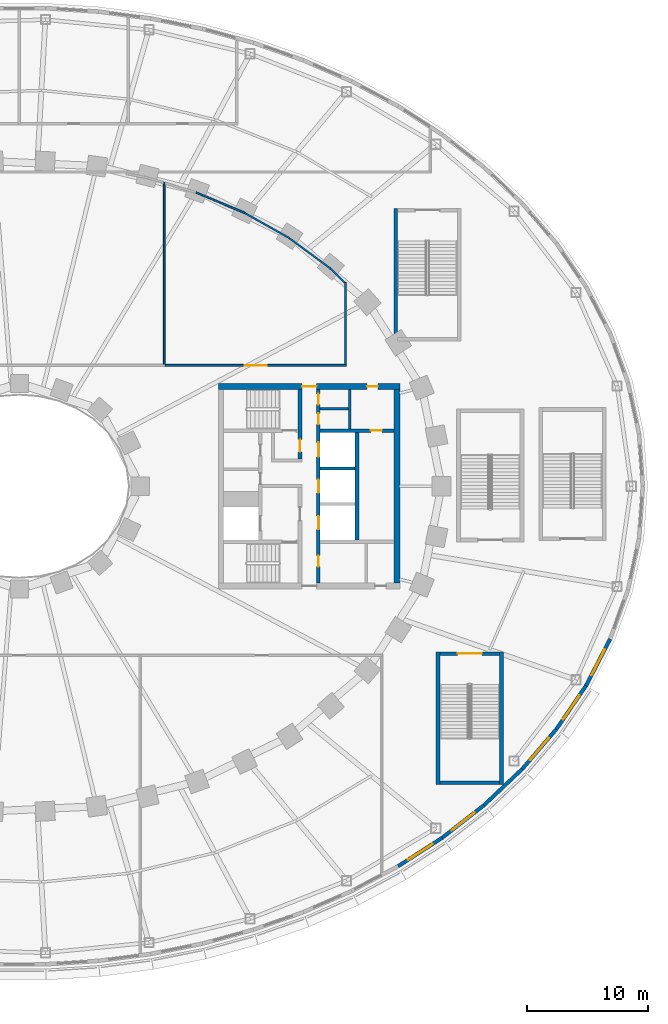
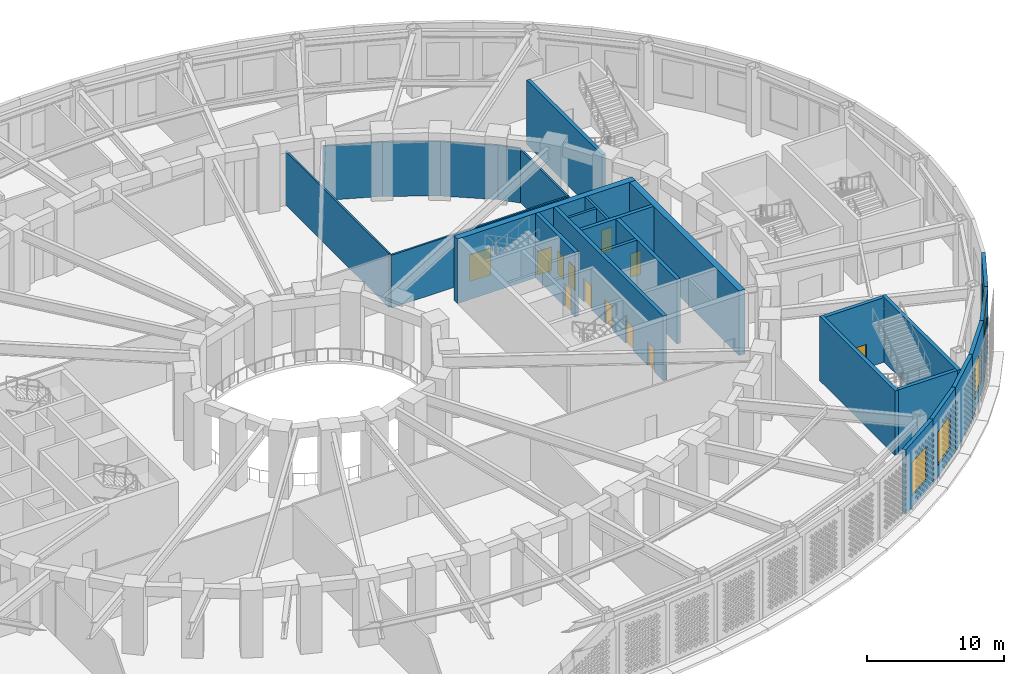
# One storey, part 24 of 74: 27 walls, 12 doors, 5 windows, 17 openings.
"""IFC4 building model written with IfcOpenShell, lengths in metres."""

from ifc_helpers import new_model, si_unit, direction, frame, frame_2d, origin, place, context, subcontext, project, spatial, rectangle, extrude, material, layer, layer_set, type_object, element, fill, save


model = new_model("IFC4")

# Units and contexts
model_context = context("Model", 3, precision=1e-05, world=origin(), true_north=direction((0.0, 1.0)))
body_context = subcontext(model_context, "Body", "Model", "MODEL_VIEW")
ifc_project = project(units=[si_unit("LENGTHUNIT", "METRE"), si_unit("AREAUNIT", "SQUARE_METRE"), si_unit("VOLUMEUNIT", "CUBIC_METRE"), si_unit("PLANEANGLEUNIT", "RADIAN"), si_unit("MASSUNIT", "GRAM", prefix="KILO")], contexts=[model_context])

# Site, building, storey
site_placement = place(None, origin())
site = spatial("IfcSite", under=ifc_project, at=site_placement, CompositionType="ELEMENT")
building_placement = place(site_placement, origin())
building = spatial("IfcBuilding", under=site, at=building_placement, Name="Noorbagh Ring Tower", CompositionType="ELEMENT")
storey_placement = place(building_placement, frame((0.0, 0.0, 13.5)))
storey = spatial("IfcBuildingStorey", under=building, at=storey_placement, Name="L02", CompositionType="ELEMENT", Elevation=13.5)

# Walls
ifc_material_1 = material(Name="Gypsum board on steel studs", Category="steel")
ifc_layer_1 = layer(ifc_material_1, 0.199951171875)
ifc_layer_set_1 = layer_set([ifc_layer_1], Name="Gypsum board on steel studs")
wall_type_1 = type_object("IfcWallType", Name="CORE-PARTITION-200", PredefinedType="PARTITIONING", material=ifc_layer_set_1)
wall_1_placement = place(storey_placement, frame((27.35009765625, 4.75, 0.0), z_axis=(0.0, 0.0, 1.0), x_axis=(0.0, 1.0, 0.0)))
element("IfcWall", 1, at=wall_1_placement, inside=storey, type_object=wall_type_1, Name="Core partition E", PredefinedType="PARTITIONING", context=body_context, shape_type="SweptSolid", body=[
    extrude(rectangle(XDim=3.25, YDim=0.199951171875, at=frame_2d((1.625, 0.0))), origin(), (0.0, 0.0, 1.0), 5.75),
])
wall_2_placement = place(storey_placement, frame((24.89990234375, 6.39990234375, 0.0), z_axis=(0.0, 0.0, 1.0), x_axis=(1.0, 0.0, 0.0)))
element("IfcWall", 2, at=wall_2_placement, inside=storey, type_object=wall_type_1, Name="Core partition E", PredefinedType="PARTITIONING", context=body_context, shape_type="SweptSolid", body=[
    extrude(rectangle(XDim=2.35009765625, YDim=0.199951171875, at=frame_2d((1.175048828125, 0.0))), origin(), (0.0, 0.0, 1.0), 5.75),
])
ifc_material_2 = material(Name="Concrete C70/85", Category="concrete")
ifc_layer_2 = layer(ifc_material_2, 0.25)
ifc_layer_set_2 = layer_set([ifc_layer_2], Name="Concrete C70/85")
wall_type_2 = type_object("IfcWallType", Name="CORE-WALL-250-C70-85-EI120", PredefinedType="SHEAR", material=ifc_layer_set_2)
wall_3_placement = place(storey_placement, frame((24.89990234375, 1.47509765625, 0.0), z_axis=(0.0, 0.0, 1.0), x_axis=(1.0, 0.0, 0.0)))
element("IfcWall", 3, at=wall_3_placement, inside=storey, type_object=wall_type_2, Name="Core wall E", PredefinedType="SHEAR", context=body_context, shape_type="SweptSolid", body=[
    extrude(rectangle(XDim=2.900146484375, YDim=0.25, at=frame_2d((1.4501953125, 0.0))), origin(), (0.0, 0.0, 1.0), 5.75),
])
ifc_material_3 = material(Name="Concrete C70/85", Category="concrete")
ifc_layer_3 = layer(ifc_material_3, 0.300048828125)
ifc_layer_set_3 = layer_set([ifc_layer_3], Name="Concrete C70/85")
wall_type_3 = type_object("IfcWallType", Name="CORE-WALL-300-C70-85-EI120", PredefinedType="SHEAR", material=ifc_layer_set_3)
wall_4_placement = place(storey_placement, frame((27.949951171875, -4.449951171875, 0.0), z_axis=(0.0, 0.0, 1.0), x_axis=(0.0, 1.0, 0.0)))
element("IfcWall", 4, at=wall_4_placement, inside=storey, type_object=wall_type_3, Name="Core wall E", PredefinedType="SHEAR", context=body_context, shape_type="SweptSolid", body=[
    extrude(rectangle(XDim=8.89990234375, YDim=0.300048828125, at=frame_2d((4.449951171875, 0.0))), origin(), (0.0, 0.0, 1.0), 5.75),
])

# Wall, openings, doors
wall_5_placement = place(storey_placement, frame((24.75, -8.0, 0.0), z_axis=(0.0, 0.0, 1.0), x_axis=(0.0, 1.0, 0.0)))
wall_5 = element("IfcWall", 5, at=wall_5_placement, inside=storey, type_object=wall_type_3, Name="Core wall E", PredefinedType="SHEAR", context=body_context, shape_type="SweptSolid", body=[
    extrude(rectangle(XDim=16.0, YDim=0.300048828125, at=frame_2d((8.0, 0.0))), origin(), (0.0, 0.0, 1.0), 5.75),
])
opening_1_placement = place(wall_5_placement, frame((4.425048828125, 0.0, 0.0)))
opening_1 = element("IfcOpeningElement", 6, at=opening_1_placement, cuts=wall_5, Name="Opening L02-CE02", PredefinedType="OPENING", context=body_context, shape_type="SweptSolid", body=[
    extrude(rectangle(XDim=1.10009765625, YDim=2.10009765625, at=frame_2d((0.550048828125, 1.050048828125))), frame((0.0, 0.16015625, 0.0), z_axis=(0.0, -1.0, 0.0), x_axis=(1.0, 0.0, 0.0)), (0.0, 0.0, 1.0), 0.320068359375),
])
opening_2_placement = place(wall_5_placement, frame((7.449951171875, 0.0, 0.0)))
opening_2 = element("IfcOpeningElement", 7, at=opening_2_placement, cuts=wall_5, Name="Opening L02-CE03", PredefinedType="OPENING", context=body_context, shape_type="SweptSolid", body=[
    extrude(rectangle(XDim=1.10009765625, YDim=2.10009765625, at=frame_2d((0.550048828125, 1.050048828125))), frame((0.0, 0.16015625, 0.0), z_axis=(0.0, -1.0, 0.0), x_axis=(1.0, 0.0, 0.0)), (0.0, 0.0, 1.0), 0.320068359375),
])
opening_3_placement = place(wall_5_placement, frame((10.425048828125, 0.0, 0.0)))
opening_3 = element("IfcOpeningElement", 8, at=opening_3_placement, cuts=wall_5, Name="Opening L02-CE04", PredefinedType="OPENING", context=body_context, shape_type="SweptSolid", body=[
    extrude(rectangle(XDim=1.199951171875, YDim=2.10009765625, at=frame_2d((0.60009765625, 1.050048828125))), frame((0.0, 0.16015625, 0.0), z_axis=(0.0, -1.0, 0.0), x_axis=(1.0, 0.0, 0.0)), (0.0, 0.0, 1.0), 0.320068359375),
])
opening_4_placement = place(wall_5_placement, frame((13.125, 0.0, 0.0)))
opening_4 = element("IfcOpeningElement", 9, at=opening_4_placement, cuts=wall_5, Name="Opening L02-CE13", PredefinedType="OPENING", context=body_context, shape_type="SweptSolid", body=[
    extrude(rectangle(XDim=0.89990234375, YDim=2.10009765625, at=frame_2d((0.449951171875, 1.050048828125))), frame((0.0, 0.16015625, 0.0), z_axis=(0.0, -1.0, 0.0), x_axis=(1.0, 0.0, 0.0)), (0.0, 0.0, 1.0), 0.320068359375),
])
opening_5_placement = place(wall_5_placement, frame((14.75, 0.0, 0.0)))
opening_5 = element("IfcOpeningElement", 10, at=opening_5_placement, cuts=wall_5, Name="Opening L02-CE14", PredefinedType="OPENING", context=body_context, shape_type="SweptSolid", body=[
    extrude(rectangle(XDim=0.89990234375, YDim=2.10009765625, at=frame_2d((0.449951171875, 1.050048828125))), frame((0.0, 0.16015625, 0.0), z_axis=(0.0, -1.0, 0.0), x_axis=(1.0, 0.0, 0.0)), (0.0, 0.0, 1.0), 0.320068359375),
])
opening_6_placement = place(wall_5_placement, frame((1.35009765625, 0.0, 0.0)))
opening_6 = element("IfcOpeningElement", 11, at=opening_6_placement, cuts=wall_5, Name="Opening L02-CE16", PredefinedType="OPENING", context=body_context, shape_type="SweptSolid", body=[
    extrude(rectangle(XDim=0.89990234375, YDim=2.10009765625, at=frame_2d((0.449951171875, 1.050048828125))), frame((0.0, 0.16015625, 0.0), z_axis=(0.0, -1.0, 0.0), x_axis=(1.0, 0.0, 0.0)), (0.0, 0.0, 1.0), 0.320068359375),
])
ifc_material_4 = material(Name="Steel door leaf", Category="steel")
door_type_1 = type_object("IfcDoorType", Name="CORE-DOOR-DROOM", OperationType="SINGLE_SWING_LEFT", PredefinedType="DOOR", material=ifc_material_4)
door_1_placement = place(opening_4_placement, origin())
door_1 = element("IfcDoor", 12, at=door_1_placement, inside=storey, type_object=door_type_1, Name="Core room door L02-CE13", OperationType="SINGLE_SWING_RIGHT", OverallHeight=2.10009765625, OverallWidth=0.89990234375, PredefinedType="DOOR", context=body_context, shape_type="SweptSolid", body=[
    extrude(rectangle(XDim=0.89990234375, YDim=2.10009765625, at=frame_2d((0.449951171875, 1.050048828125))), frame((0.0, 0.02490234375, 0.0), z_axis=(0.0, -1.0, 0.0), x_axis=(1.0, 0.0, 0.0)), (0.0, 0.0, 1.0), 0.050048828125),
])
fill(opening_4, door_1)
door_2_placement = place(opening_5_placement, origin())
door_2 = element("IfcDoor", 13, at=door_2_placement, inside=storey, type_object=door_type_1, Name="Core room door L02-CE14", OperationType="SINGLE_SWING_LEFT", OverallHeight=2.10009765625, OverallWidth=0.89990234375, PredefinedType="DOOR", context=body_context, shape_type="SweptSolid", body=[
    extrude(rectangle(XDim=0.89990234375, YDim=2.10009765625, at=frame_2d((0.449951171875, 1.050048828125))), frame((0.0, 0.02490234375, 0.0), z_axis=(0.0, -1.0, 0.0), x_axis=(1.0, 0.0, 0.0)), (0.0, 0.0, 1.0), 0.050048828125),
])
fill(opening_5, door_2)
door_3_placement = place(opening_6_placement, origin())
door_3 = element("IfcDoor", 14, at=door_3_placement, inside=storey, type_object=door_type_1, Name="Core room door L02-CE16", OperationType="SINGLE_SWING_RIGHT", OverallHeight=2.10009765625, OverallWidth=0.89990234375, PredefinedType="DOOR", context=body_context, shape_type="SweptSolid", body=[
    extrude(rectangle(XDim=0.89990234375, YDim=2.10009765625, at=frame_2d((0.449951171875, 1.050048828125))), frame((0.0, 0.02490234375, 0.0), z_axis=(0.0, -1.0, 0.0), x_axis=(1.0, 0.0, 0.0)), (0.0, 0.0, 1.0), 0.050048828125),
])
fill(opening_6, door_3)
ifc_material_5 = material(Name="Steel door leaf", Category="steel")
door_type_2 = type_object("IfcDoorType", Name="CORE-DOOR-LD", OperationType="DOUBLE_DOOR_SLIDING", PredefinedType="DOOR", material=ifc_material_5)
door_4_placement = place(opening_1_placement, origin())
door_4 = element("IfcDoor", 15, at=door_4_placement, inside=storey, type_object=door_type_2, Name="Landing door LR3 L02-CE02", OperationType="DOUBLE_DOOR_SLIDING", OverallHeight=2.10009765625, OverallWidth=1.10009765625, PredefinedType="DOOR", context=body_context, shape_type="SweptSolid", body=[
    extrude(rectangle(XDim=1.10009765625, YDim=2.10009765625, at=frame_2d((0.550048828125, 1.050048828125))), frame((0.0, 0.02490234375, 0.0), z_axis=(0.0, -1.0, 0.0), x_axis=(1.0, 0.0, 0.0)), (0.0, 0.0, 1.0), 0.050048828125),
])
fill(opening_1, door_4)
door_5_placement = place(opening_2_placement, origin())
door_5 = element("IfcDoor", 16, at=door_5_placement, inside=storey, type_object=door_type_2, Name="Landing door LR4 L02-CE03", OperationType="DOUBLE_DOOR_SLIDING", OverallHeight=2.10009765625, OverallWidth=1.10009765625, PredefinedType="DOOR", context=body_context, shape_type="SweptSolid", body=[
    extrude(rectangle(XDim=1.10009765625, YDim=2.10009765625, at=frame_2d((0.550048828125, 1.050048828125))), frame((0.0, 0.02490234375, 0.0), z_axis=(0.0, -1.0, 0.0), x_axis=(1.0, 0.0, 0.0)), (0.0, 0.0, 1.0), 0.050048828125),
])
fill(opening_2, door_5)
ifc_material_6 = material(Name="Steel door leaf", Category="steel")
door_type_3 = type_object("IfcDoorType", Name="CORE-DOOR-LDW", OperationType="DOUBLE_DOOR_SLIDING", PredefinedType="DOOR", material=ifc_material_6)
door_6_placement = place(opening_3_placement, origin())
door_6 = element("IfcDoor", 17, at=door_6_placement, inside=storey, type_object=door_type_3, Name="Landing door SV2 L02-CE04", OperationType="DOUBLE_DOOR_SLIDING", OverallHeight=2.10009765625, OverallWidth=1.199951171875, PredefinedType="DOOR", context=body_context, shape_type="SweptSolid", body=[
    extrude(rectangle(XDim=1.199951171875, YDim=2.10009765625, at=frame_2d((0.60009765625, 1.050048828125))), frame((0.0, 0.02490234375, 0.0), z_axis=(0.0, -1.0, 0.0), x_axis=(1.0, 0.0, 0.0)), (0.0, 0.0, 1.0), 0.050048828125),
])
fill(opening_3, door_6)

# Wall, opening, door
ifc_material_7 = material(Name="Concrete C70/85", Category="concrete")
ifc_layer_4 = layer(ifc_material_7, 0.300048828125)
ifc_layer_set_4 = layer_set([ifc_layer_4], Name="Concrete C70/85")
wall_type_4 = type_object("IfcWallType", Name="CORE-WALL-300-C70-85-EI240", PredefinedType="SHEAR", material=ifc_layer_set_4)
wall_6_placement = place(storey_placement, frame((24.89990234375, 4.60009765625, 0.0), z_axis=(0.0, 0.0, 1.0), x_axis=(1.0, 0.0, 0.0)))
wall_6 = element("IfcWall", 18, at=wall_6_placement, inside=storey, type_object=wall_type_4, Name="Core wall E", PredefinedType="SHEAR", context=body_context, shape_type="SweptSolid", body=[
    extrude(rectangle(XDim=6.10009765625, YDim=0.300048828125, at=frame_2d((3.050048828125, 0.0))), origin(), (0.0, 0.0, 1.0), 5.75),
])
opening_7_placement = place(wall_6_placement, frame((4.199951171875, 0.0, 0.0)))
opening_7 = element("IfcOpeningElement", 19, at=opening_7_placement, cuts=wall_6, Name="Opening L02-CE18", PredefinedType="OPENING", context=body_context, shape_type="SweptSolid", body=[
    extrude(rectangle(XDim=0.89990234375, YDim=2.10009765625, at=frame_2d((0.449951171875, 1.050048828125))), frame((0.0, 0.16015625, 0.0), z_axis=(0.0, -1.0, 0.0), x_axis=(1.0, 0.0, 0.0)), (0.0, 0.0, 1.0), 0.320068359375),
])
door_7_placement = place(opening_7_placement, origin())
door_7 = element("IfcDoor", 20, at=door_7_placement, inside=storey, type_object=door_type_1, Name="Core room door L02-CE18", OperationType="SINGLE_SWING_RIGHT", OverallHeight=2.10009765625, OverallWidth=0.89990234375, PredefinedType="DOOR", context=body_context, shape_type="SweptSolid", body=[
    extrude(rectangle(XDim=0.89990234375, YDim=2.10009765625, at=frame_2d((0.449951171875, 1.050048828125))), frame((0.0, 0.02490234375, 0.0), z_axis=(0.0, -1.0, 0.0), x_axis=(1.0, 0.0, 0.0)), (0.0, 0.0, 1.0), 0.050048828125),
])
fill(opening_7, door_7)

wall_7_placement = place(storey_placement, frame((23.22998046875, 2.25, 0.0), z_axis=(0.0, 0.0, 1.0), x_axis=(0.0, 1.0, 0.0)))
wall_7 = element("IfcWall", 21, at=wall_7_placement, inside=storey, type_object=wall_type_4, Name="Core wall E", PredefinedType="SHEAR", context=body_context, shape_type="SweptSolid", body=[
    extrude(rectangle(XDim=5.75, YDim=0.300048828125, at=frame_2d((2.875, 0.0))), origin(), (0.0, 0.0, 1.0), 5.75),
])
opening_8_placement = place(wall_7_placement, frame((0.60009765625, 0.0, 0.0)))
opening_8 = element("IfcOpeningElement", 22, at=opening_8_placement, cuts=wall_7, Name="Opening L02-CE08", PredefinedType="OPENING", context=body_context, shape_type="SweptSolid", body=[
    extrude(rectangle(XDim=1.0, YDim=2.10009765625, at=frame_2d((0.5, 1.050048828125))), frame((0.0, 0.16015625, 0.0), z_axis=(0.0, -1.0, 0.0), x_axis=(1.0, 0.0, 0.0)), (0.0, 0.0, 1.0), 0.320068359375),
])
ifc_material_8 = material(Name="Steel door leaf", Category="steel")
door_type_4 = type_object("IfcDoorType", Name="CORE-DOOR-DVEST", OperationType="SINGLE_SWING_LEFT", PredefinedType="DOOR", material=ifc_material_8)
door_8_placement = place(opening_8_placement, origin())
door_8 = element("IfcDoor", 23, at=door_8_placement, inside=storey, type_object=door_type_4, Name="Stair vestibule door L02-CE08", OperationType="SINGLE_SWING_RIGHT", OverallHeight=2.10009765625, OverallWidth=1.0, PredefinedType="DOOR", context=body_context, shape_type="SweptSolid", body=[
    extrude(rectangle(XDim=1.0, YDim=2.10009765625, at=frame_2d((0.5, 1.050048828125))), frame((0.0, 0.02490234375, 0.0), z_axis=(0.0, -1.0, 0.0), x_axis=(1.0, 0.0, 0.0)), (0.0, 0.0, 1.0), 0.050048828125),
])
fill(opening_8, door_8)

# Wall, openings, doors
ifc_material_9 = material(Name="Concrete C70/85", Category="concrete")
ifc_layer_5 = layer(ifc_material_9, 0.5)
ifc_layer_set_5 = layer_set([ifc_layer_5], Name="Concrete C70/85")
wall_type_5 = type_object("IfcWallType", Name="CORE-WALL-500-C70-85-EI240", PredefinedType="SHEAR", material=ifc_layer_set_5)
wall_8_placement = place(storey_placement, frame((16.5, 8.25, 0.0), z_axis=(0.0, 0.0, 1.0), x_axis=(1.0, 0.0, 0.0)))
wall_8 = element("IfcWall", 24, at=wall_8_placement, inside=storey, type_object=wall_type_5, Name="Core wall E", PredefinedType="SHEAR", context=body_context, shape_type="SweptSolid", body=[
    extrude(rectangle(XDim=15.0, YDim=0.5, at=frame_2d((7.5, 0.0))), origin(), (0.0, 0.0, 1.0), 5.75),
])
opening_9_placement = place(wall_8_placement, frame((6.89990234375, 0.0, 0.0)))
opening_9 = element("IfcOpeningElement", 25, at=opening_9_placement, cuts=wall_8, Name="Opening L02-CE09", PredefinedType="OPENING", context=body_context, shape_type="SweptSolid", body=[
    extrude(rectangle(XDim=1.199951171875, YDim=2.10009765625, at=frame_2d((0.60009765625, 1.050048828125))), frame((0.0, 0.260009765625, 0.0), z_axis=(0.0, -1.0, 0.0), x_axis=(1.0, 0.0, 0.0)), (0.0, 0.0, 1.0), 0.52001953125),
])
opening_10_placement = place(wall_8_placement, frame((12.27490234375, 0.0, 0.0)))
opening_10 = element("IfcOpeningElement", 26, at=opening_10_placement, cuts=wall_8, Name="Opening L02-CE15", PredefinedType="OPENING", context=body_context, shape_type="SweptSolid", body=[
    extrude(rectangle(XDim=0.89990234375, YDim=2.10009765625, at=frame_2d((0.449951171875, 1.050048828125))), frame((0.0, 0.260009765625, 0.0), z_axis=(0.0, -1.0, 0.0), x_axis=(1.0, 0.0, 0.0)), (0.0, 0.0, 1.0), 0.52001953125),
])
door_9_placement = place(opening_10_placement, origin())
door_9 = element("IfcDoor", 27, at=door_9_placement, inside=storey, type_object=door_type_1, Name="Core room door L02-CE15", OperationType="SINGLE_SWING_LEFT", OverallHeight=2.10009765625, OverallWidth=0.89990234375, PredefinedType="DOOR", context=body_context, shape_type="SweptSolid", body=[
    extrude(rectangle(XDim=0.89990234375, YDim=2.10009765625, at=frame_2d((0.449951171875, 1.050048828125))), frame((0.0, 0.02490234375, 0.0), z_axis=(0.0, -1.0, 0.0), x_axis=(1.0, 0.0, 0.0)), (0.0, 0.0, 1.0), 0.050048828125),
])
fill(opening_10, door_9)
ifc_material_10 = material(Name="Steel door leaf", Category="steel")
door_type_5 = type_object("IfcDoorType", Name="CORE-DOOR-PORT", OperationType="DOUBLE_DOOR_DOUBLE_SWING", PredefinedType="DOOR", material=ifc_material_10)
door_10_placement = place(opening_9_placement, origin())
door_10 = element("IfcDoor", 28, at=door_10_placement, inside=storey, type_object=door_type_5, Name="Core entrance door L02-CE09", OperationType="DOUBLE_DOOR_DOUBLE_SWING", OverallHeight=2.10009765625, OverallWidth=1.199951171875, PredefinedType="DOOR", context=body_context, shape_type="SweptSolid", body=[
    extrude(rectangle(XDim=1.199951171875, YDim=2.10009765625, at=frame_2d((0.60009765625, 1.050048828125))), frame((0.0, 0.02490234375, 0.0), z_axis=(0.0, -1.0, 0.0), x_axis=(1.0, 0.0, 0.0)), (0.0, 0.0, 1.0), 0.050048828125),
])
fill(opening_9, door_10)

# Wall
wall_9_placement = place(storey_placement, frame((31.25, -8.0, 0.0), z_axis=(0.0, 0.0, 1.0), x_axis=(0.0, 1.0, 0.0)))
element("IfcWall", 29, at=wall_9_placement, inside=storey, type_object=wall_type_5, Name="Core wall E", PredefinedType="SHEAR", context=body_context, shape_type="SweptSolid", body=[
    extrude(rectangle(XDim=16.0, YDim=0.5, at=frame_2d((8.0, 0.0))), origin(), (0.0, 0.0, 1.0), 5.75),
])

# Wall, opening, window
ifc_material_11 = material(Name="Blockwork faced with red sandstone", Category="masonry")
ifc_layer_6 = layer(ifc_material_11, 0.300048828125)
ifc_layer_set_6 = layer_set([ifc_layer_6], Name="Blockwork faced with red sandstone")
wall_type_6 = type_object("IfcWallType", Name="GND-ENV-WALL", PredefinedType="SOLIDWALL", material=ifc_layer_set_6)
wall_10_placement = place(storey_placement, frame((31.3515625, -31.448486328125, 0.0), z_axis=(0.0, 0.0, 1.0), x_axis=(0.840047348843, 0.542513088969, 0.0)))
wall_10 = element("IfcWall", 30, at=wall_10_placement, inside=storey, type_object=wall_type_6, Name="Podium wall", PredefinedType="SOLIDWALL", context=body_context, shape_type="SweptSolid", body=[
    extrude(rectangle(XDim=4.362060546875, YDim=0.300048828125, at=frame_2d((2.18115234375, 0.0))), origin(), (0.0, 0.0, 1.0), 5.75),
])
opening_11_placement = place(wall_10_placement, frame((0.98095703125, 0.0, 1.0)))
opening_11 = element("IfcOpeningElement", 31, at=opening_11_placement, cuts=wall_10, Name="Opening GWN1", PredefinedType="OPENING", context=body_context, shape_type="SweptSolid", body=[
    extrude(rectangle(XDim=2.39990234375, YDim=3.0, at=frame_2d((1.199951171875, 1.5))), frame((0.0, 0.16015625, 0.0), z_axis=(0.0, -1.0, 0.0), x_axis=(1.0, 0.0, 0.0)), (0.0, 0.0, 1.0), 0.320068359375),
])
ifc_material_12 = material(Name="Aluminium and glass", Category="aluminium")
window_type = type_object("IfcWindowType", Name="GND-ENV-WINDOW", PartitioningType="SINGLE_PANEL", PredefinedType="WINDOW", material=ifc_material_12)
window_1_placement = place(opening_11_placement, origin())
window_1 = element("IfcWindow", 32, at=window_1_placement, inside=storey, type_object=window_type, Name="L02 podium window", OverallHeight=3.0, OverallWidth=2.39990234375, PartitioningType="SINGLE_PANEL", PredefinedType="WINDOW", context=body_context, shape_type="SweptSolid", body=[
    extrude(rectangle(XDim=2.39990234375, YDim=3.0, at=frame_2d((1.199951171875, 1.5))), frame((0.0, 0.030029296875, 0.0), z_axis=(0.0, -1.0, 0.0), x_axis=(1.0, 0.0, 0.0)), (0.0, 0.0, 1.0), 0.06005859375),
])
fill(opening_11, window_1)

wall_11_placement = place(storey_placement, frame((35.015869140625, -29.08203125, 0.0), z_axis=(0.0, 0.0, 1.0), x_axis=(0.788491985196, 0.615045030288, 0.0)))
wall_11 = element("IfcWall", 33, at=wall_11_placement, inside=storey, type_object=wall_type_6, Name="Podium wall", PredefinedType="SOLIDWALL", context=body_context, shape_type="SweptSolid", body=[
    extrude(rectangle(XDim=4.359375, YDim=0.300048828125, at=frame_2d((2.1796875, 0.0))), origin(), (0.0, 0.0, 1.0), 5.75),
])
opening_12_placement = place(wall_11_placement, frame((0.979736328125, 0.0, 1.0)))
opening_12 = element("IfcOpeningElement", 34, at=opening_12_placement, cuts=wall_11, Name="Opening GWN1", PredefinedType="OPENING", context=body_context, shape_type="SweptSolid", body=[
    extrude(rectangle(XDim=2.39990234375, YDim=3.0, at=frame_2d((1.199951171875, 1.5))), frame((0.0, 0.16015625, 0.0), z_axis=(0.0, -1.0, 0.0), x_axis=(1.0, 0.0, 0.0)), (0.0, 0.0, 1.0), 0.320068359375),
])
window_2_placement = place(opening_12_placement, origin())
window_2 = element("IfcWindow", 35, at=window_2_placement, inside=storey, type_object=window_type, Name="L02 podium window", OverallHeight=3.0, OverallWidth=2.39990234375, PartitioningType="SINGLE_PANEL", PredefinedType="WINDOW", context=body_context, shape_type="SweptSolid", body=[
    extrude(rectangle(XDim=2.39990234375, YDim=3.0, at=frame_2d((1.199951171875, 1.5))), frame((0.0, 0.030029296875, 0.0), z_axis=(0.0, -1.0, 0.0), x_axis=(1.0, 0.0, 0.0)), (0.0, 0.0, 1.0), 0.06005859375),
])
fill(opening_12, window_2)

# Wall
wall_12_placement = place(storey_placement, frame((38.453125, -26.40087890625, 0.0), z_axis=(0.0, 0.0, 1.0), x_axis=(0.72620446032, 0.687478786444, 0.0)))
element("IfcWall", 36, at=wall_12_placement, inside=storey, type_object=wall_type_6, Name="Podium wall", PredefinedType="SOLIDWALL", context=body_context, shape_type="SweptSolid", body=[
    extrude(rectangle(XDim=4.356201171875, YDim=0.300048828125, at=frame_2d((2.17822265625, 0.0))), origin(), (0.0, 0.0, 1.0), 5.75),
])

# Wall, opening, window
wall_13_placement = place(storey_placement, frame((41.61669921875, -23.406005859375, 0.0), z_axis=(0.0, 0.0, 1.0), x_axis=(0.651387059497, 0.758745608699, 0.0)))
wall_13 = element("IfcWall", 37, at=wall_13_placement, inside=storey, type_object=wall_type_6, Name="Podium wall", PredefinedType="SOLIDWALL", context=body_context, shape_type="SweptSolid", body=[
    extrude(rectangle(XDim=4.3525390625, YDim=0.300048828125, at=frame_2d((2.17626953125, 0.0))), origin(), (0.0, 0.0, 1.0), 5.75),
])
opening_13_placement = place(wall_13_placement, frame((0.976318359375, 0.0, 1.0)))
opening_13 = element("IfcOpeningElement", 38, at=opening_13_placement, cuts=wall_13, Name="Opening GWN1", PredefinedType="OPENING", context=body_context, shape_type="SweptSolid", body=[
    extrude(rectangle(XDim=2.39990234375, YDim=3.0, at=frame_2d((1.199951171875, 1.5))), frame((0.0, 0.16015625, 0.0), z_axis=(0.0, -1.0, 0.0), x_axis=(1.0, 0.0, 0.0)), (0.0, 0.0, 1.0), 0.320068359375),
])
window_3_placement = place(opening_13_placement, origin())
window_3 = element("IfcWindow", 39, at=window_3_placement, inside=storey, type_object=window_type, Name="L02 podium window", OverallHeight=3.0, OverallWidth=2.39990234375, PartitioningType="SINGLE_PANEL", PredefinedType="WINDOW", context=body_context, shape_type="SweptSolid", body=[
    extrude(rectangle(XDim=2.39990234375, YDim=3.0, at=frame_2d((1.199951171875, 1.5))), frame((0.0, 0.030029296875, 0.0), z_axis=(0.0, -1.0, 0.0), x_axis=(1.0, 0.0, 0.0)), (0.0, 0.0, 1.0), 0.06005859375),
])
fill(opening_13, window_3)

wall_14_placement = place(storey_placement, frame((44.451904296875, -20.103515625, 0.0), z_axis=(0.0, 0.0, 1.0), x_axis=(0.562667738859, 0.82668314102, 0.0)))
wall_14 = element("IfcWall", 40, at=wall_14_placement, inside=storey, type_object=wall_type_6, Name="Podium wall", PredefinedType="SOLIDWALL", context=body_context, shape_type="SweptSolid", body=[
    extrude(rectangle(XDim=4.348876953125, YDim=0.300048828125, at=frame_2d((2.17431640625, 0.0))), origin(), (0.0, 0.0, 1.0), 5.75),
])
opening_14_placement = place(wall_14_placement, frame((0.974365234375, 0.0, 1.0)))
opening_14 = element("IfcOpeningElement", 41, at=opening_14_placement, cuts=wall_14, Name="Opening GWN1", PredefinedType="OPENING", context=body_context, shape_type="SweptSolid", body=[
    extrude(rectangle(XDim=2.39990234375, YDim=3.0, at=frame_2d((1.199951171875, 1.5))), frame((0.0, 0.16015625, 0.0), z_axis=(0.0, -1.0, 0.0), x_axis=(1.0, 0.0, 0.0)), (0.0, 0.0, 1.0), 0.320068359375),
])
window_4_placement = place(opening_14_placement, origin())
window_4 = element("IfcWindow", 42, at=window_4_placement, inside=storey, type_object=window_type, Name="L02 podium window", OverallHeight=3.0, OverallWidth=2.39990234375, PartitioningType="SINGLE_PANEL", PredefinedType="WINDOW", context=body_context, shape_type="SweptSolid", body=[
    extrude(rectangle(XDim=2.39990234375, YDim=3.0, at=frame_2d((1.199951171875, 1.5))), frame((0.0, 0.030029296875, 0.0), z_axis=(0.0, -1.0, 0.0), x_axis=(1.0, 0.0, 0.0)), (0.0, 0.0, 1.0), 0.06005859375),
])
fill(opening_14, window_4)

wall_15_placement = place(storey_placement, frame((46.89892578125, -16.50830078125, 0.0), z_axis=(0.0, 0.0, 1.0), x_axis=(0.459242531468, 0.888310923771, 0.0)))
wall_15 = element("IfcWall", 43, at=wall_15_placement, inside=storey, type_object=wall_type_6, Name="Podium wall", PredefinedType="SOLIDWALL", context=body_context, shape_type="SweptSolid", body=[
    extrude(rectangle(XDim=4.344970703125, YDim=0.300048828125, at=frame_2d((2.17236328125, 0.0))), origin(), (0.0, 0.0, 1.0), 5.75),
])
opening_15_placement = place(wall_15_placement, frame((0.972412109375, 0.0, 1.0)))
opening_15 = element("IfcOpeningElement", 44, at=opening_15_placement, cuts=wall_15, Name="Opening GWN1", PredefinedType="OPENING", context=body_context, shape_type="SweptSolid", body=[
    extrude(rectangle(XDim=2.39990234375, YDim=3.0, at=frame_2d((1.199951171875, 1.5))), frame((0.0, 0.16015625, 0.0), z_axis=(0.0, -1.0, 0.0), x_axis=(1.0, 0.0, 0.0)), (0.0, 0.0, 1.0), 0.320068359375),
])
window_5_placement = place(opening_15_placement, origin())
window_5 = element("IfcWindow", 45, at=window_5_placement, inside=storey, type_object=window_type, Name="L02 podium window", OverallHeight=3.0, OverallWidth=2.39990234375, PartitioningType="SINGLE_PANEL", PredefinedType="WINDOW", context=body_context, shape_type="SweptSolid", body=[
    extrude(rectangle(XDim=2.39990234375, YDim=3.0, at=frame_2d((1.199951171875, 1.5))), frame((0.0, 0.030029296875, 0.0), z_axis=(0.0, -1.0, 0.0), x_axis=(1.0, 0.0, 0.0)), (0.0, 0.0, 1.0), 0.06005859375),
])
fill(opening_15, window_5)

# Walls
ifc_material_13 = material(Name="Gypsum board on steel studs", Category="steel")
ifc_layer_7 = layer(ifc_material_13, 0.14990234375)
ifc_layer_set_7 = layer_set([ifc_layer_7], Name="Gypsum board on steel studs")
wall_type_7 = type_object("IfcWallType", Name="GND-PART-150", PredefinedType="PARTITIONING", material=ifc_layer_set_7)
wall_16_placement = place(storey_placement, frame((12.0, 25.174560546875, 0.0), z_axis=(0.0, 0.0, 1.0), x_axis=(0.0, -1.0, 0.0)))
element("IfcWall", 46, at=wall_16_placement, inside=storey, type_object=wall_type_7, Name="L02/wall/P001", PredefinedType="PARTITIONING", context=body_context, shape_type="SweptSolid", body=[
    extrude(rectangle(XDim=15.099609375, YDim=0.14990234375, at=frame_2d((7.5498046875, 0.0))), origin(), (0.0, 0.0, 1.0), 4.800048828125),
])
wall_17_placement = place(storey_placement, frame((14.589599609375, 24.32861328125, 0.0), z_axis=(0.0, 0.0, 1.0), x_axis=(0.921807455064, -0.387648056604, 0.0)))
element("IfcWall", 47, at=wall_17_placement, inside=storey, type_object=wall_type_7, Name="L02/wall/P013", PredefinedType="PARTITIONING", context=body_context, shape_type="SweptSolid", body=[
    extrude(rectangle(XDim=4.404296875, YDim=0.14990234375, at=frame_2d((2.2021484375, 0.0))), origin(), (0.0, 0.0, 1.0), 4.85009765625),
])
wall_18_placement = place(storey_placement, frame((18.646728515625, 22.613037109375, 0.0), z_axis=(0.0, 0.0, 1.0), x_axis=(0.872066959566, -0.489386573204, 0.0)))
element("IfcWall", 48, at=wall_18_placement, inside=storey, type_object=wall_type_7, Name="L02/wall/P014", PredefinedType="PARTITIONING", context=body_context, shape_type="SweptSolid", body=[
    extrude(rectangle(XDim=4.241943359375, YDim=0.14990234375, at=frame_2d((2.12109375, 0.0))), origin(), (0.0, 0.0, 1.0), 4.85009765625),
])
wall_19_placement = place(storey_placement, frame((22.34228515625, 20.5283203125, 0.0), z_axis=(0.0, 0.0, 1.0), x_axis=(0.80511970197, -0.59311235487, 0.0)))
element("IfcWall", 49, at=wall_19_placement, inside=storey, type_object=wall_type_7, Name="L02/wall/P015", PredefinedType="PARTITIONING", context=body_context, shape_type="SweptSolid", body=[
    extrude(rectangle(XDim=4.227294921875, YDim=0.14990234375, at=frame_2d((2.11376953125, 0.0))), origin(), (0.0, 0.0, 1.0), 4.85009765625),
])
wall_20_placement = place(storey_placement, frame((25.74072265625, 18.01171875, 0.0), z_axis=(0.0, 0.0, 1.0), x_axis=(0.717304526637, -0.696759797969, 0.0)))
element("IfcWall", 50, at=wall_20_placement, inside=storey, type_object=wall_type_7, Name="L02/wall/P016", PredefinedType="PARTITIONING", context=body_context, shape_type="SweptSolid", body=[
    extrude(rectangle(XDim=1.66357421875, YDim=0.14990234375, at=frame_2d((0.831787109375, 0.0))), origin(), (0.0, 0.0, 1.0), 4.85009765625),
])
wall_21_placement = place(storey_placement, frame((27.0, 16.863525390625, 0.0), z_axis=(0.0, 0.0, 1.0), x_axis=(0.0, -1.0, 0.0)))
element("IfcWall", 51, at=wall_21_placement, inside=storey, type_object=wall_type_7, Name="L02/wall/P017", PredefinedType="PARTITIONING", context=body_context, shape_type="SweptSolid", body=[
    extrude(rectangle(XDim=6.78857421875, YDim=0.14990234375, at=frame_2d((3.394287109375, 0.0))), origin(), (0.0, 0.0, 1.0), 4.699951171875),
])

# Wall, opening, door
wall_22_placement = place(storey_placement, frame((27.074951171875, 10.0, 0.0), z_axis=(0.0, 0.0, 1.0), x_axis=(-1.0, 0.0, 0.0)))
wall_22 = element("IfcWall", 52, at=wall_22_placement, inside=storey, type_object=wall_type_7, Name="L02/wall/P018", PredefinedType="PARTITIONING", context=body_context, shape_type="SweptSolid", body=[
    extrude(rectangle(XDim=15.0, YDim=0.14990234375, at=frame_2d((7.5, 0.0))), origin(), (0.0, 0.0, 1.0), 4.699951171875),
])
opening_16_placement = place(wall_22_placement, frame((6.60009765625, 0.0, 0.0)))
opening_16 = element("IfcOpeningElement", 53, at=opening_16_placement, cuts=wall_22, Name="Opening GD7", PredefinedType="OPENING", context=body_context, shape_type="SweptSolid", body=[
    extrude(rectangle(XDim=1.800048828125, YDim=2.39990234375, at=frame_2d((0.89990234375, 1.199951171875))), frame((0.0, 0.0849609375, 0.0), z_axis=(0.0, -1.0, 0.0), x_axis=(1.0, 0.0, 0.0)), (0.0, 0.0, 1.0), 0.169921875),
])
ifc_material_14 = material(Name="Timber and glass", Category="wood")
door_type_6 = type_object("IfcDoorType", Name="GND-DOOR-HALL-DBL", OperationType="DOUBLE_DOOR_SINGLE_SWING", PredefinedType="DOOR", material=ifc_material_14)
door_11_placement = place(opening_16_placement, origin())
door_11 = element("IfcDoor", 54, at=door_11_placement, inside=storey, type_object=door_type_6, Name="Auditorium stage door", OperationType="DOUBLE_DOOR_SINGLE_SWING", OverallHeight=2.39990234375, OverallWidth=1.800048828125, PredefinedType="DOOR", context=body_context, shape_type="SweptSolid", body=[
    extrude(rectangle(XDim=1.800048828125, YDim=2.39990234375, at=frame_2d((0.89990234375, 1.199951171875))), frame((0.0, 0.02490234375, 0.0), z_axis=(0.0, -1.0, 0.0), x_axis=(1.0, 0.0, 0.0)), (0.0, 0.0, 1.0), 0.050048828125),
])
fill(opening_16, door_11)

# Walls
ifc_material_15 = material(Name="Concrete C60/75", Category="concrete")
ifc_layer_8 = layer(ifc_material_15, 0.300048828125)
ifc_layer_set_8 = layer_set([ifc_layer_8], Name="Concrete C60/75")
wall_type_8 = type_object("IfcWallType", Name="GND-STAIR-WALL", PredefinedType="SHEAR", material=ifc_layer_set_8)
for number, where, z_axis, x_axis, name in (
    (55, (31.14990234375, 12.0, 0.0), (0.0, 0.0, 1.0), (0.0, 1.0, 0.0), "Exit stair ST-P5 wall"),
    (56, (34.64990234375, -24.699951171875, 0.0), (0.0, 0.0, 1.0), (0.0, 1.0, 0.0), "Exit stair ST-P6 wall"),
    (57, (39.89990234375, -24.699951171875, 0.0), (0.0, 0.0, 1.0), (0.0, 1.0, 0.0), "Exit stair ST-P6 wall"),
):
    element("IfcWall", number, at=place(storey_placement, frame(where, z_axis=z_axis, x_axis=x_axis)), inside=storey, type_object=wall_type_8, Name=name, PredefinedType="SHEAR", context=body_context, shape_type="SweptSolid", body=[
        extrude(rectangle(XDim=11.0, YDim=0.300048828125, at=frame_2d((5.5, 0.0))), origin(), (0.0, 0.0, 1.0), 5.75),
    ])
wall_23_placement = place(storey_placement, frame((34.800048828125, -24.550048828125, 0.0), z_axis=(0.0, 0.0, 1.0), x_axis=(1.0, 0.0, 0.0)))
element("IfcWall", 58, at=wall_23_placement, inside=storey, type_object=wall_type_8, Name="Exit stair ST-P6 wall", PredefinedType="SHEAR", context=body_context, shape_type="SweptSolid", body=[
    extrude(rectangle(XDim=4.949951171875, YDim=0.300048828125, at=frame_2d((2.47509765625, 0.0))), origin(), (0.0, 0.0, 1.0), 5.75),
])

# Wall, opening, door
wall_24_placement = place(storey_placement, frame((34.800048828125, -13.85009765625, 0.0), z_axis=(0.0, 0.0, 1.0), x_axis=(1.0, 0.0, 0.0)))
wall_24 = element("IfcWall", 59, at=wall_24_placement, inside=storey, type_object=wall_type_8, Name="Exit stair ST-P6 wall", PredefinedType="SHEAR", context=body_context, shape_type="SweptSolid", body=[
    extrude(rectangle(XDim=4.949951171875, YDim=0.300048828125, at=frame_2d((2.47509765625, 0.0))), origin(), (0.0, 0.0, 1.0), 5.75),
])
opening_17_placement = place(wall_24_placement, frame((1.47509765625, 0.0, 0.0)))
opening_17 = element("IfcOpeningElement", 60, at=opening_17_placement, cuts=wall_24, Name="Opening GD17", PredefinedType="OPENING", context=body_context, shape_type="SweptSolid", body=[
    extrude(rectangle(XDim=2.0, YDim=2.10009765625, at=frame_2d((1.0, 1.050048828125))), frame((0.0, 0.16015625, 0.0), z_axis=(0.0, -1.0, 0.0), x_axis=(1.0, 0.0, 0.0)), (0.0, 0.0, 1.0), 0.320068359375),
])
ifc_material_16 = material(Name="Steel", Category="steel")
door_type_7 = type_object("IfcDoorType", Name="GND-STAIR-DOOR", OperationType="DOUBLE_DOOR_SINGLE_SWING", PredefinedType="DOOR", material=ifc_material_16)
door_12_placement = place(opening_17_placement, origin())
door_12 = element("IfcDoor", 61, at=door_12_placement, inside=storey, type_object=door_type_7, Name="Exit stair ST-P6 door", OperationType="DOUBLE_DOOR_SINGLE_SWING", OverallHeight=2.10009765625, OverallWidth=2.0, PredefinedType="DOOR", context=body_context, shape_type="SweptSolid", body=[
    extrude(rectangle(XDim=2.0, YDim=2.10009765625, at=frame_2d((1.0, 1.050048828125))), frame((0.0, 0.02490234375, 0.0), z_axis=(0.0, -1.0, 0.0), x_axis=(1.0, 0.0, 0.0)), (0.0, 0.0, 1.0), 0.050048828125),
])
fill(opening_17, door_12)

save(model, "model.ifc")
